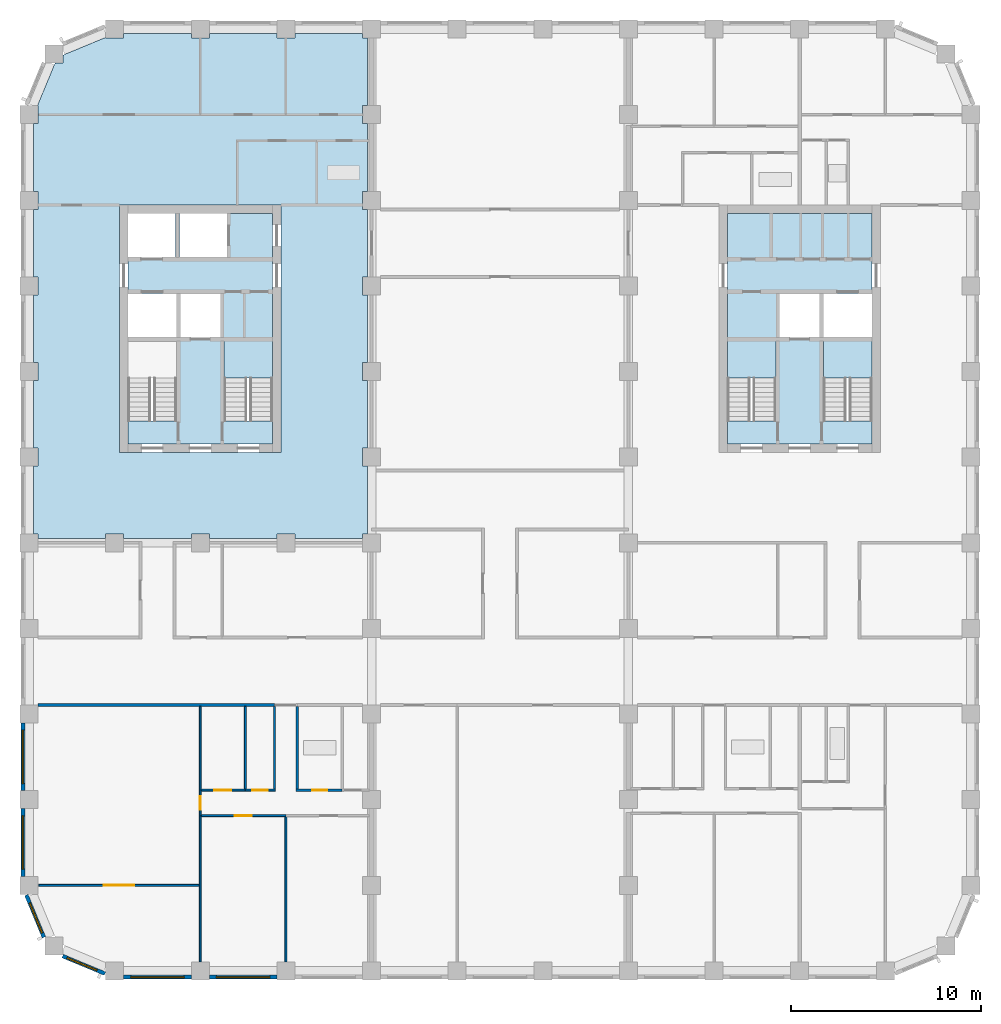
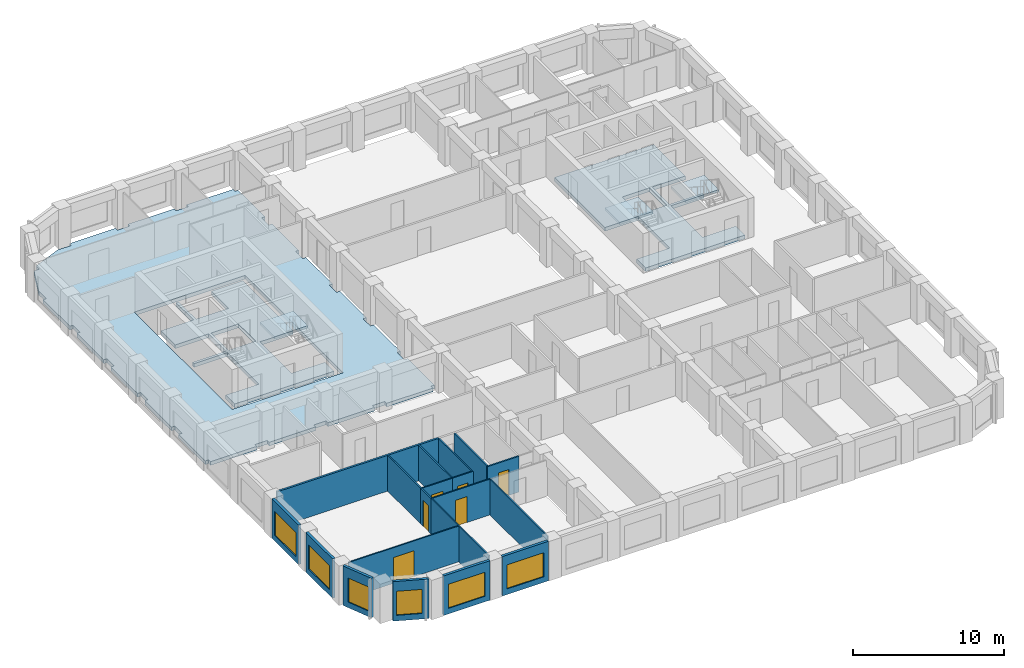
# One storey, part 2 of 12: 19 walls, 6 doors, 6 slabs, 6 windows, 12 openings, 3 elements without a shape of their own.
"""IFC4 building model written with IfcOpenShell, lengths in metres."""

from ifc_helpers import new_model, si_unit, direction, frame, frame_2d, origin, place, context, subcontext, project, spatial, polyline, rectangle, outline, extrude, material, layer, layer_set, type_object, element, fill, aggregate, save


model = new_model("IFC4")

# Units and contexts
model_context = context("Model", 3, precision=1e-05, world=origin(), true_north=direction((0.0, 1.0)))
body_context = subcontext(model_context, "Body", "Model", "MODEL_VIEW")
ifc_project = project(units=[si_unit("LENGTHUNIT", "METRE"), si_unit("AREAUNIT", "SQUARE_METRE"), si_unit("VOLUMEUNIT", "CUBIC_METRE"), si_unit("PLANEANGLEUNIT", "RADIAN"), si_unit("MASSUNIT", "GRAM", prefix="KILO")], contexts=[model_context])

# Site, building, storey
site_placement = place(None, origin())
site = spatial("IfcSite", under=ifc_project, at=site_placement, CompositionType="ELEMENT")
building_placement = place(site_placement, origin())
building = spatial("IfcBuilding", under=site, at=building_placement, Name="Girih Gate Residences", CompositionType="ELEMENT")
storey_placement = place(building_placement, frame((0.0, 0.0, 139.800048828125)))
storey = spatial("IfcBuildingStorey", under=building, at=storey_placement, Name="L39", CompositionType="ELEMENT", Elevation=139.800048828125)

# Slabs
ifc_material_1 = material(Name="Concrete C40/50", Category="concrete")
ifc_layer_1 = layer(ifc_material_1, 0.300048828125)
ifc_layer_set_1 = layer_set([ifc_layer_1], Name="Core floor slab 300")
slab_type_1 = type_object("IfcSlabType", Name="Core floor slab 300", PredefinedType="FLOOR", material=ifc_layer_set_1)
slab_1_placement = place(storey_placement, frame((0.0, 0.0, -0.300048828125)))
element("IfcSlab", 1, at=slab_1_placement, inside=storey, type_object=slab_type_1, Name="L39 W core floor", PredefinedType="FLOOR", context=body_context, shape_type="SweptSolid", body=[
    extrude(outline(polyline([(12.800048828125, 27.699951171875), (5.199951171875, 27.699951171875), (5.199951171875, 28.900634765625), (7.75, 28.900634765625), (7.75, 33.10009765625), (5.199951171875, 33.10009765625), (5.199951171875, 33.300048828125), (7.75, 33.300048828125), (7.75, 35.60009765625), (5.199951171875, 35.60009765625), (5.199951171875, 37.5), (7.699951171875, 37.5), (7.699951171875, 39.800048828125), (7.89990234375, 39.800048828125), (7.89990234375, 37.5), (10.39990234375, 37.5), (10.39990234375, 39.800048828125), (12.800048828125, 39.800048828125), (12.800048828125, 33.10009765625), (10.25, 33.10009765625), (10.25, 28.900634765625), (12.800048828125, 28.900634765625), (12.800048828125, 27.699951171875)]), holes=[polyline([(7.949951171875, 33.300048828125), (10.050048828125, 33.300048828125), (10.050048828125, 35.60009765625), (7.949951171875, 35.60009765625), (7.949951171875, 33.300048828125)])]), origin(), (0.0, 0.0, 1.0), 0.300048828125),
])
slab_2_placement = place(storey_placement, frame((0.0, 0.0, -0.300048828125)))
element("IfcSlab", 2, at=slab_2_placement, inside=storey, type_object=slab_type_1, Name="L39 E core floor", PredefinedType="FLOOR", context=body_context, shape_type="SweptSolid", body=[
    extrude(outline(polyline([(44.300048828125, 27.699951171875), (36.699951171875, 27.699951171875), (36.699951171875, 28.900634765625), (39.25, 28.900634765625), (39.25, 33.10009765625), (36.699951171875, 33.10009765625), (36.699951171875, 39.800048828125), (44.300048828125, 39.800048828125), (44.300048828125, 35.60009765625), (41.75, 35.60009765625), (41.75, 33.300048828125), (44.300048828125, 33.300048828125), (44.300048828125, 33.10009765625), (41.75, 33.10009765625), (41.75, 28.900634765625), (44.300048828125, 28.900634765625), (44.300048828125, 27.699951171875)]), holes=[polyline([(39.449951171875, 33.300048828125), (41.550048828125, 33.300048828125), (41.550048828125, 35.60009765625), (39.449951171875, 35.60009765625), (39.449951171875, 33.300048828125)])]), origin(), (0.0, 0.0, 1.0), 0.300048828125),
])
ifc_layer_2 = layer(ifc_material_1, 0.300048828125)
ifc_layer_set_2 = layer_set([ifc_layer_2], Name="Floor slab PT 300 Concrete C40/50")
slab_type_2 = type_object("IfcSlabType", Name="Floor slab PT 300 Concrete C40/50", PredefinedType="FLOOR", material=ifc_layer_set_2)
slab_3_placement = place(storey_placement, frame((0.0, 0.0, -0.300048828125)))
element("IfcSlab", 3, at=slab_3_placement, inside=storey, type_object=slab_type_2, Name="Floor slab L39 3", PredefinedType="FLOOR", context=body_context, shape_type="SweptSolid", body=[
    extrude(outline(polyline([(0.22509765625, 26.52490234375), (0.22509765625, 22.97509765625), (0.47509765625, 22.97509765625), (0.47509765625, 22.72509765625), (4.02490234375, 22.72509765625), (4.02490234375, 22.97509765625), (4.97509765625, 22.97509765625), (4.97509765625, 22.72509765625), (8.52490234375, 22.72509765625), (8.52490234375, 22.97509765625), (9.47509765625, 22.97509765625), (9.47509765625, 22.72509765625), (13.02490234375, 22.72509765625), (13.02490234375, 22.97509765625), (13.97509765625, 22.97509765625), (13.97509765625, 22.72509765625), (17.52490234375, 22.72509765625), (17.52490234375, 22.97509765625), (17.77490234375, 22.97509765625), (17.77490234375, 26.52490234375), (17.52490234375, 26.52490234375), (17.52490234375, 27.47509765625), (17.77490234375, 27.47509765625), (17.77490234375, 31.02490234375), (17.52490234375, 31.02490234375), (17.52490234375, 31.97509765625), (17.77490234375, 31.97509765625), (17.77490234375, 35.52490234375), (17.52490234375, 35.52490234375), (17.52490234375, 36.47509765625), (17.77490234375, 36.47509765625), (17.77490234375, 40.02490234375), (17.52490234375, 40.02490234375), (17.52490234375, 40.97509765625), (17.77490234375, 40.97509765625), (17.77490234375, 44.52490234375), (17.52490234375, 44.52490234375), (17.52490234375, 45.47509765625), (17.77490234375, 45.47509765625), (17.77490234375, 49.02490234375), (17.52490234375, 49.02490234375), (17.52490234375, 49.27490234375), (13.97509765625, 49.27490234375), (13.97509765625, 49.02490234375), (13.02490234375, 49.02490234375), (13.02490234375, 49.27490234375), (9.47509765625, 49.27490234375), (9.47509765625, 49.02490234375), (8.52490234375, 49.02490234375), (8.52490234375, 49.27490234375), (4.97509765625, 49.27490234375), (4.97509765625, 49.02490234375), (4.02490234375, 49.02490234375), (4.02490234375, 49.059814453125), (1.79296875, 48.13525390625), (1.79296875, 47.70703125), (1.36474609375, 47.70703125), (0.440185546875, 45.47509765625), (0.47509765625, 45.47509765625), (0.47509765625, 44.52490234375), (0.22509765625, 44.52490234375), (0.22509765625, 40.97509765625), (0.47509765625, 40.97509765625), (0.47509765625, 40.02490234375), (0.22509765625, 40.02490234375), (0.22509765625, 36.47509765625), (0.47509765625, 36.47509765625), (0.47509765625, 35.52490234375), (0.22509765625, 35.52490234375), (0.22509765625, 31.97509765625), (0.47509765625, 31.97509765625), (0.47509765625, 31.02490234375), (0.22509765625, 31.02490234375), (0.22509765625, 27.47509765625), (0.47509765625, 27.47509765625), (0.47509765625, 26.52490234375), (0.22509765625, 26.52490234375)]), holes=[polyline([(13.25, 40.25), (13.25, 27.25), (4.75, 27.25), (4.75, 40.25), (13.25, 40.25)])]), origin(), (0.0, 0.0, 1.0), 0.300048828125),
])

# Stair, slab
stair_type = type_object("IfcStairType", Name="Exit stair", PredefinedType="HALF_TURN_STAIR", material=ifc_material_1)
stair_1_placement = place(storey_placement, origin())
stair_1 = element("IfcStair", 4, at=stair_1_placement, inside=storey, type_object=stair_type, Name="L39 Exit Stair ST-W2", PredefinedType="HALF_TURN_STAIR")
ifc_layer_3 = layer(ifc_material_1, 0.199951171875)
ifc_layer_set_3 = layer_set([ifc_layer_3], Name="Stair landing 200")
slab_type_3 = type_object("IfcSlabType", Name="Stair landing 200", PredefinedType="LANDING", material=ifc_layer_set_3)
slab_4_placement = place(storey_placement, frame((0.0, 0.0, 1.39990234375)))
slab_4 = element("IfcSlab", 5, at=slab_4_placement, type_object=slab_type_3, Name="ST-W2 landing 1", PredefinedType="LANDING", context=body_context, shape_type="SweptSolid", body=[
    extrude(outline(polyline([(12.800048828125, 31.14990234375), (12.800048828125, 33.10009765625), (10.25, 33.10009765625), (10.25, 31.14990234375), (12.800048828125, 31.14990234375)])), origin(), (0.0, 0.0, 1.0), 0.199951171875),
])
aggregate(stair_1, [slab_4])

stair_2_placement = place(storey_placement, origin())
stair_2 = element("IfcStair", 6, at=stair_2_placement, inside=storey, type_object=stair_type, Name="L39 Exit Stair ST-E1", PredefinedType="HALF_TURN_STAIR")
slab_5_placement = place(storey_placement, frame((0.0, 0.0, 1.39990234375)))
slab_5 = element("IfcSlab", 7, at=slab_5_placement, type_object=slab_type_3, Name="ST-E1 landing 1", PredefinedType="LANDING", context=body_context, shape_type="SweptSolid", body=[
    extrude(outline(polyline([(44.300048828125, 31.14990234375), (44.300048828125, 33.10009765625), (41.75, 33.10009765625), (41.75, 31.14990234375), (44.300048828125, 31.14990234375)])), origin(), (0.0, 0.0, 1.0), 0.199951171875),
])
aggregate(stair_2, [slab_5])

stair_3_placement = place(storey_placement, origin())
stair_3 = element("IfcStair", 8, at=stair_3_placement, inside=storey, type_object=stair_type, Name="L39 Exit Stair ST-E2", PredefinedType="HALF_TURN_STAIR")
slab_6_placement = place(storey_placement, frame((0.0, 0.0, 1.39990234375)))
slab_6 = element("IfcSlab", 9, at=slab_6_placement, type_object=slab_type_3, Name="ST-E2 landing 1", PredefinedType="LANDING", context=body_context, shape_type="SweptSolid", body=[
    extrude(outline(polyline([(39.25, 31.14990234375), (39.25, 33.10009765625), (36.699951171875, 33.10009765625), (36.699951171875, 31.14990234375), (39.25, 31.14990234375)])), origin(), (0.0, 0.0, 1.0), 0.199951171875),
])
aggregate(stair_3, [slab_6])

# Walls
ifc_material_2 = material(Name="Gypsum board on steel studs", Category="steel")
ifc_layer_4 = layer(ifc_material_2, 0.14990234375)
ifc_layer_set_4 = layer_set([ifc_layer_4], Name="Compartment wall 150 mm")
wall_type_1 = type_object("IfcWallType", Name="Compartment wall 150 mm", PredefinedType="PARTITIONING", material=ifc_layer_set_4)
wall_1_placement = place(storey_placement, frame((0.47509765625, 13.97509765625, 0.0), z_axis=(0.0, 0.0, 1.0), x_axis=(1.0, 0.0, 0.0)))
element("IfcWall", 10, at=wall_1_placement, inside=storey, type_object=wall_type_1, Name="L39 partition", PredefinedType="PARTITIONING", context=body_context, shape_type="SweptSolid", body=[
    extrude(rectangle(XDim=12.4248046875, YDim=0.14990234375, at=frame_2d((6.21240234375, 0.0))), origin(), (0.0, 0.0, 1.0), 2.89990234375),
])
ifc_layer_5 = layer(ifc_material_2, 0.10009765625)
ifc_layer_set_5 = layer_set([ifc_layer_5], Name="Partition 100 mm")
wall_type_2 = type_object("IfcWallType", Name="Partition 100 mm", PredefinedType="PARTITIONING", material=ifc_layer_set_5)
wall_2_placement = place(storey_placement, frame((13.5, 0.47509765625, 0.0), z_axis=(0.0, 0.0, 1.0), x_axis=(0.0, 1.0, 0.0)))
element("IfcWall", 11, at=wall_2_placement, inside=storey, type_object=wall_type_2, Name="L39 partition", PredefinedType="PARTITIONING", context=body_context, shape_type="SweptSolid", body=[
    extrude(rectangle(XDim=7.639892578125, YDim=0.10009765625, at=frame_2d((3.81982421875, 0.0))), origin(), (0.0, 0.0, 1.0), 2.89990234375),
])

# Wall, opening, door
wall_3_placement = place(storey_placement, frame((13.5, 8.1650390625, 0.0), z_axis=(0.0, 0.0, 1.0), x_axis=(-1.0, 0.0, 0.0)))
wall_3 = element("IfcWall", 12, at=wall_3_placement, inside=storey, type_object=wall_type_2, Name="L39 partition", PredefinedType="PARTITIONING", context=body_context, shape_type="SweptSolid", body=[
    extrude(rectangle(XDim=4.449951171875, YDim=0.10009765625, at=frame_2d((2.22509765625, 0.0))), origin(), (0.0, 0.0, 1.0), 2.89990234375),
])
opening_1_placement = place(wall_3_placement, frame((1.800048828125, 0.0, 0.0)))
opening_1 = element("IfcOpeningElement", 13, at=opening_1_placement, cuts=wall_3, Name="Opening A39-002", PredefinedType="OPENING", context=body_context, shape_type="SweptSolid", body=[
    extrude(rectangle(XDim=0.89990234375, YDim=2.10009765625, at=frame_2d((0.449951171875, 1.050048828125))), frame((0.0, 0.06005859375, 0.0), z_axis=(0.0, -1.0, 0.0), x_axis=(1.0, 0.0, 0.0)), (0.0, 0.0, 1.0), 0.1201171875),
])
ifc_material_3 = material(Name="Timber", Category="wood")
door_type_1 = type_object("IfcDoorType", Name="Bedroom door 900x2100", OperationType="NOTDEFINED", PredefinedType="DOOR", material=ifc_material_3)
door_1_placement = place(opening_1_placement, origin())
door_1 = element("IfcDoor", 14, at=door_1_placement, inside=storey, type_object=door_type_1, Name="Door A39-002", OperationType="SINGLE_SWING_RIGHT", OverallHeight=2.10009765625, OverallWidth=0.89990234375, PredefinedType="DOOR", context=body_context, shape_type="SweptSolid", body=[
    extrude(rectangle(XDim=0.89990234375, YDim=2.10009765625, at=frame_2d((0.449951171875, 1.050048828125))), frame((0.0, 0.02490234375, 0.0), z_axis=(0.0, -1.0, 0.0), x_axis=(1.0, 0.0, 0.0)), (0.0, 0.0, 1.0), 0.050048828125),
])
fill(opening_1, door_1)

# Wall
wall_4_placement = place(storey_placement, frame((9.0, 0.47509765625, 0.0), z_axis=(0.0, 0.0, 1.0), x_axis=(0.0, 1.0, 0.0)))
element("IfcWall", 15, at=wall_4_placement, inside=storey, type_object=wall_type_2, Name="L39 partition", PredefinedType="PARTITIONING", context=body_context, shape_type="SweptSolid", body=[
    extrude(rectangle(XDim=7.68994140625, YDim=0.10009765625, at=frame_2d((3.844970703125, 0.0))), origin(), (0.0, 0.0, 1.0), 2.89990234375),
])

# Wall, opening, door
wall_5_placement = place(storey_placement, frame((9.0, 8.1650390625, 0.0), z_axis=(0.0, 0.0, 1.0), x_axis=(0.0, 1.0, 0.0)))
wall_5 = element("IfcWall", 16, at=wall_5_placement, inside=storey, type_object=wall_type_2, Name="L39 partition", PredefinedType="PARTITIONING", context=body_context, shape_type="SweptSolid", body=[
    extrude(rectangle(XDim=1.33984375, YDim=0.10009765625, at=frame_2d((0.669921875, 0.0))), origin(), (0.0, 0.0, 1.0), 2.89990234375),
])
opening_2_placement = place(wall_5_placement, frame((0.31005859375, 0.0, 0.0)))
opening_2 = element("IfcOpeningElement", 17, at=opening_2_placement, cuts=wall_5, Name="Opening A39-004", PredefinedType="OPENING", context=body_context, shape_type="SweptSolid", body=[
    extrude(rectangle(XDim=0.699951171875, YDim=2.10009765625, at=frame_2d((0.35009765625, 1.050048828125))), frame((0.0, 0.06005859375, 0.0), z_axis=(0.0, -1.0, 0.0), x_axis=(1.0, 0.0, 0.0)), (0.0, 0.0, 1.0), 0.1201171875),
])
door_type_2 = type_object("IfcDoorType", Name="Narrow door 700x2100", OperationType="NOTDEFINED", PredefinedType="DOOR", material=ifc_material_3)
door_2_placement = place(opening_2_placement, origin())
door_2 = element("IfcDoor", 18, at=door_2_placement, inside=storey, type_object=door_type_2, Name="Door A39-004", OperationType="SINGLE_SWING_LEFT", OverallHeight=2.10009765625, OverallWidth=0.699951171875, PredefinedType="DOOR", context=body_context, shape_type="SweptSolid", body=[
    extrude(rectangle(XDim=0.699951171875, YDim=2.10009765625, at=frame_2d((0.35009765625, 1.050048828125))), frame((0.0, 0.02490234375, 0.0), z_axis=(0.0, -1.0, 0.0), x_axis=(1.0, 0.0, 0.0)), (0.0, 0.0, 1.0), 0.050048828125),
])
fill(opening_2, door_2)

# Wall
wall_6_placement = place(storey_placement, frame((9.0, 9.5048828125, 0.0), z_axis=(0.0, 0.0, 1.0), x_axis=(0.0, 1.0, 0.0)))
element("IfcWall", 19, at=wall_6_placement, inside=storey, type_object=wall_type_2, Name="L39 partition", PredefinedType="PARTITIONING", context=body_context, shape_type="SweptSolid", body=[
    extrude(rectangle(XDim=4.39501953125, YDim=0.10009765625, at=frame_2d((2.197509765625, 0.0))), origin(), (0.0, 0.0, 1.0), 2.89990234375),
])

# Wall, opening, door
wall_7_placement = place(storey_placement, frame((0.51416015625, 4.5, 0.0), z_axis=(0.0, 0.0, 1.0), x_axis=(1.0, 0.0, 0.0)))
wall_7 = element("IfcWall", 20, at=wall_7_placement, inside=storey, type_object=wall_type_2, Name="L39 partition", PredefinedType="PARTITIONING", context=body_context, shape_type="SweptSolid", body=[
    extrude(rectangle(XDim=8.435791015625, YDim=0.10009765625, at=frame_2d((4.2177734375, 0.0))), origin(), (0.0, 0.0, 1.0), 2.89990234375),
])
opening_3_placement = place(wall_7_placement, frame((3.42333984375, 0.0, 0.0)))
opening_3 = element("IfcOpeningElement", 21, at=opening_3_placement, cuts=wall_7, Name="Opening A39-005", PredefinedType="OPENING", context=body_context, shape_type="SweptSolid", body=[
    extrude(rectangle(XDim=1.60009765625, YDim=2.10009765625, at=frame_2d((0.800048828125, 1.050048828125))), frame((0.0, 0.06005859375, 0.0), z_axis=(0.0, -1.0, 0.0), x_axis=(1.0, 0.0, 0.0)), (0.0, 0.0, 1.0), 0.1201171875),
])
door_type_3 = type_object("IfcDoorType", Name="Double leaf door 1600x2100", OperationType="NOTDEFINED", PredefinedType="DOOR", material=ifc_material_3)
door_3_placement = place(opening_3_placement, origin())
door_3 = element("IfcDoor", 22, at=door_3_placement, inside=storey, type_object=door_type_3, Name="Door A39-005", OperationType="SINGLE_SWING_RIGHT", OverallHeight=2.10009765625, OverallWidth=1.60009765625, PredefinedType="DOOR", context=body_context, shape_type="SweptSolid", body=[
    extrude(rectangle(XDim=1.60009765625, YDim=2.10009765625, at=frame_2d((0.800048828125, 1.050048828125))), frame((0.0, 0.02490234375, 0.0), z_axis=(0.0, -1.0, 0.0), x_axis=(1.0, 0.0, 0.0)), (0.0, 0.0, 1.0), 0.050048828125),
])
fill(opening_3, door_3)

wall_8_placement = place(storey_placement, frame((9.050048828125, 9.5048828125, 0.0), z_axis=(0.0, 0.0, 1.0), x_axis=(1.0, 0.0, 0.0)))
wall_8 = element("IfcWall", 23, at=wall_8_placement, inside=storey, type_object=wall_type_2, Name="L39 partition", PredefinedType="PARTITIONING", context=body_context, shape_type="SweptSolid", body=[
    extrude(rectangle(XDim=2.3173828125, YDim=0.10009765625, at=frame_2d((1.15869140625, 0.0))), origin(), (0.0, 0.0, 1.0), 2.89990234375),
])
opening_4_placement = place(wall_8_placement, frame((0.68359375, 0.0, 0.0)))
opening_4 = element("IfcOpeningElement", 24, at=opening_4_placement, cuts=wall_8, Name="Opening A39-006", PredefinedType="OPENING", context=body_context, shape_type="SweptSolid", body=[
    extrude(rectangle(XDim=0.89990234375, YDim=2.10009765625, at=frame_2d((0.449951171875, 1.050048828125))), frame((0.0, 0.06005859375, 0.0), z_axis=(0.0, -1.0, 0.0), x_axis=(1.0, 0.0, 0.0)), (0.0, 0.0, 1.0), 0.1201171875),
])
door_type_4 = type_object("IfcDoorType", Name="Kitchen door 900x2100", OperationType="NOTDEFINED", PredefinedType="DOOR", material=ifc_material_3)
door_4_placement = place(opening_4_placement, origin())
door_4 = element("IfcDoor", 25, at=door_4_placement, inside=storey, type_object=door_type_4, Name="Door A39-006", OperationType="SINGLE_SWING_LEFT", OverallHeight=2.10009765625, OverallWidth=0.89990234375, PredefinedType="DOOR", context=body_context, shape_type="SweptSolid", body=[
    extrude(rectangle(XDim=0.89990234375, YDim=2.10009765625, at=frame_2d((0.449951171875, 1.050048828125))), frame((0.0, 0.02490234375, 0.0), z_axis=(0.0, -1.0, 0.0), x_axis=(1.0, 0.0, 0.0)), (0.0, 0.0, 1.0), 0.050048828125),
])
fill(opening_4, door_4)

wall_9_placement = place(storey_placement, frame((11.367431640625, 9.5048828125, 0.0), z_axis=(0.0, 0.0, 1.0), x_axis=(1.0, 0.0, 0.0)))
wall_9 = element("IfcWall", 26, at=wall_9_placement, inside=storey, type_object=wall_type_2, Name="L39 partition", PredefinedType="PARTITIONING", context=body_context, shape_type="SweptSolid", body=[
    extrude(rectangle(XDim=1.58251953125, YDim=0.10009765625, at=frame_2d((0.791259765625, 0.0))), origin(), (0.0, 0.0, 1.0), 2.89990234375),
])
opening_5_placement = place(wall_9_placement, frame((0.3662109375, 0.0, 0.0)))
opening_5 = element("IfcOpeningElement", 27, at=opening_5_placement, cuts=wall_9, Name="Opening A39-008", PredefinedType="OPENING", context=body_context, shape_type="SweptSolid", body=[
    extrude(rectangle(XDim=0.800048828125, YDim=2.10009765625, at=frame_2d((0.39990234375, 1.050048828125))), frame((0.0, 0.06005859375, 0.0), z_axis=(0.0, -1.0, 0.0), x_axis=(1.0, 0.0, 0.0)), (0.0, 0.0, 1.0), 0.1201171875),
])
door_type_5 = type_object("IfcDoorType", Name="Store door 800x2100", OperationType="NOTDEFINED", PredefinedType="DOOR", material=ifc_material_3)
door_5_placement = place(opening_5_placement, origin())
door_5 = element("IfcDoor", 28, at=door_5_placement, inside=storey, type_object=door_type_5, Name="Door A39-008", OperationType="SINGLE_SWING_LEFT", OverallHeight=2.10009765625, OverallWidth=0.800048828125, PredefinedType="DOOR", context=body_context, shape_type="SweptSolid", body=[
    extrude(rectangle(XDim=0.800048828125, YDim=2.10009765625, at=frame_2d((0.39990234375, 1.050048828125))), frame((0.0, 0.02490234375, 0.0), z_axis=(0.0, -1.0, 0.0), x_axis=(1.0, 0.0, 0.0)), (0.0, 0.0, 1.0), 0.050048828125),
])
fill(opening_5, door_5)

# Walls
for number, where, z_axis, x_axis, name in (
    (29, (12.89990234375, 9.554931640625, 0.0), (0.0, 0.0, 1.0), (0.0, 1.0, 0.0), "L39 partition"),
    (30, (11.366943359375, 9.554931640625, 0.0), (0.0, 0.0, 1.0), (0.0, 1.0, 0.0), "L39 partition"),
):
    element("IfcWall", number, at=place(storey_placement, frame(where, z_axis=z_axis, x_axis=x_axis)), inside=storey, type_object=wall_type_2, Name=name, PredefinedType="PARTITIONING", context=body_context, shape_type="SweptSolid", body=[
        extrude(rectangle(XDim=4.344970703125, YDim=0.10009765625, at=frame_2d((2.17236328125, 0.0))), origin(), (0.0, 0.0, 1.0), 2.89990234375),
    ])

# Wall, opening, window
ifc_material_4 = material(Name="Precast concrete C50/60", Category="concrete")
ifc_layer_6 = layer(ifc_material_4, 0.06005859375, Name="Outer leaf")
ifc_material_5 = material(Name="Rigid PIR insulation")
ifc_layer_7 = layer(ifc_material_5, 0.090087890625, Name="Insulation")
ifc_material_6 = material(Name="Precast concrete C40/50", Category="concrete")
ifc_layer_8 = layer(ifc_material_6, 0.050048828125, Name="Inner leaf")
ifc_layer_set_6 = layer_set([ifc_layer_6, ifc_layer_7, ifc_layer_8], Name="Precast concrete C50/60 external wall 200")
wall_type_3 = type_object("IfcWallType", Name="Precast concrete C50/60 external wall 200", PredefinedType="SOLIDWALL", material=ifc_layer_set_6)
wall_10_placement = place(storey_placement, frame((0.7802734375, 1.76708984375, 0.0), z_axis=(0.0, 0.0, 1.0), x_axis=(-0.382680855588, 0.923880599843, 0.0)))
wall_10 = element("IfcWall", 31, at=wall_10_placement, inside=storey, type_object=wall_type_3, Name="External wall SW0000_0045.0", PredefinedType="SOLIDWALL", context=body_context, shape_type="SweptSolid", body=[
    extrude(rectangle(XDim=2.402587890625, YDim=0.199951171875, at=frame_2d((1.201171875, 0.0))), origin(), (0.0, 0.0, 1.0), 3.199951171875),
])
opening_6_placement = place(wall_10_placement, frame((0.25146484375, 0.0, 0.449951171875)))
opening_6 = element("IfcOpeningElement", 32, at=opening_6_placement, cuts=wall_10, Name="Opening W-2E", PredefinedType="OPENING", context=body_context, shape_type="SweptSolid", body=[
    extrude(rectangle(XDim=1.699951171875, YDim=1.949951171875, at=frame_2d((0.85009765625, 0.97509765625))), frame((0.0, 0.10986328125, 0.0), z_axis=(0.0, -1.0, 0.0), x_axis=(1.0, 0.0, 0.0)), (0.0, 0.0, 1.0), 0.219970703125),
])
ifc_material_7 = material(Name="Double glazing in aluminium frame", Category="aluminium")
window_type_1 = type_object("IfcWindowType", Name="Window W-2E 1700x1950", PartitioningType="SINGLE_PANEL", PredefinedType="WINDOW", material=ifc_material_7)
window_1_placement = place(opening_6_placement, origin())
window_1 = element("IfcWindow", 33, at=window_1_placement, inside=storey, type_object=window_type_1, Name="Window W-2E SW0000_0045.0", OverallHeight=1.949951171875, OverallWidth=1.699951171875, PartitioningType="SINGLE_PANEL", PredefinedType="WINDOW", context=body_context, shape_type="SweptSolid", body=[
    extrude(rectangle(XDim=1.699951171875, YDim=1.949951171875, at=frame_2d((0.85009765625, 0.97509765625))), frame((0.0, 0.030029296875, 0.0), z_axis=(0.0, -1.0, 0.0), x_axis=(1.0, 0.0, 0.0)), (0.0, 0.0, 1.0), 0.06005859375),
])
fill(opening_6, window_1)

wall_11_placement = place(storey_placement, frame((3.98681640625, -0.13916015625, 0.0), z_axis=(0.0, 0.0, 1.0), x_axis=(-0.923880599843, 0.382680855588, 0.0)))
wall_11 = element("IfcWall", 34, at=wall_11_placement, inside=storey, type_object=wall_type_3, Name="External wall SW0013_0013.0", PredefinedType="SOLIDWALL", context=body_context, shape_type="SweptSolid", body=[
    extrude(rectangle(XDim=2.402587890625, YDim=0.199951171875, at=frame_2d((1.201171875, 0.0))), origin(), (0.0, 0.0, 1.0), 3.199951171875),
])
opening_7_placement = place(wall_11_placement, frame((0.451171875, 0.0, 0.449951171875)))
opening_7 = element("IfcOpeningElement", 35, at=opening_7_placement, cuts=wall_11, Name="Opening W-2E", PredefinedType="OPENING", context=body_context, shape_type="SweptSolid", body=[
    extrude(rectangle(XDim=1.699951171875, YDim=1.949951171875, at=frame_2d((0.85009765625, 0.97509765625))), frame((0.0, 0.10986328125, 0.0), z_axis=(0.0, -1.0, 0.0), x_axis=(1.0, 0.0, 0.0)), (0.0, 0.0, 1.0), 0.219970703125),
])
window_2_placement = place(opening_7_placement, origin())
window_2 = element("IfcWindow", 36, at=window_2_placement, inside=storey, type_object=window_type_1, Name="Window W-2E SW0013_0013.0", OverallHeight=1.949951171875, OverallWidth=1.699951171875, PartitioningType="SINGLE_PANEL", PredefinedType="WINDOW", context=body_context, shape_type="SweptSolid", body=[
    extrude(rectangle(XDim=1.699951171875, YDim=1.949951171875, at=frame_2d((0.85009765625, 0.97509765625))), frame((0.0, 0.030029296875, 0.0), z_axis=(0.0, -1.0, 0.0), x_axis=(1.0, 0.0, 0.0)), (0.0, 0.0, 1.0), 0.06005859375),
])
fill(opening_7, window_2)

wall_12_placement = place(storey_placement, frame((8.52490234375, -0.324951171875, 0.0), z_axis=(0.0, 0.0, 1.0), x_axis=(-1.0, 0.0, 0.0)))
wall_12 = element("IfcWall", 37, at=wall_12_placement, inside=storey, type_object=wall_type_3, Name="External wall S0045_0000.0", PredefinedType="SOLIDWALL", context=body_context, shape_type="SweptSolid", body=[
    extrude(rectangle(XDim=3.5498046875, YDim=0.199951171875, at=frame_2d((1.77490234375, 0.0))), origin(), (0.0, 0.0, 1.0), 3.199951171875),
])
opening_8_placement = place(wall_12_placement, frame((0.375, 0.0, 0.449951171875)))
opening_8 = element("IfcOpeningElement", 38, at=opening_8_placement, cuts=wall_12, Name="Opening W-1B", PredefinedType="OPENING", context=body_context, shape_type="SweptSolid", body=[
    extrude(rectangle(XDim=2.800048828125, YDim=1.949951171875, at=frame_2d((1.39990234375, 0.97509765625))), frame((0.0, 0.10986328125, 0.0), z_axis=(0.0, -1.0, 0.0), x_axis=(1.0, 0.0, 0.0)), (0.0, 0.0, 1.0), 0.219970703125),
])
window_type_2 = type_object("IfcWindowType", Name="Window W-1B 2800x1950", PartitioningType="SINGLE_PANEL", PredefinedType="WINDOW", material=ifc_material_7)
window_3_placement = place(opening_8_placement, origin())
window_3 = element("IfcWindow", 39, at=window_3_placement, inside=storey, type_object=window_type_2, Name="Window W-1B S0045_0000.0", OverallHeight=1.949951171875, OverallWidth=2.800048828125, PartitioningType="SINGLE_PANEL", PredefinedType="WINDOW", context=body_context, shape_type="SweptSolid", body=[
    extrude(rectangle(XDim=2.800048828125, YDim=1.949951171875, at=frame_2d((1.39990234375, 0.97509765625))), frame((0.0, 0.030029296875, 0.0), z_axis=(0.0, -1.0, 0.0), x_axis=(1.0, 0.0, 0.0)), (0.0, 0.0, 1.0), 0.06005859375),
])
fill(opening_8, window_3)

wall_13_placement = place(storey_placement, frame((13.02490234375, -0.324951171875, 0.0), z_axis=(0.0, 0.0, 1.0), x_axis=(-1.0, 0.0, 0.0)))
wall_13 = element("IfcWall", 40, at=wall_13_placement, inside=storey, type_object=wall_type_3, Name="External wall S0045_0000.1", PredefinedType="SOLIDWALL", context=body_context, shape_type="SweptSolid", body=[
    extrude(rectangle(XDim=3.5498046875, YDim=0.199951171875, at=frame_2d((1.77490234375, 0.0))), origin(), (0.0, 0.0, 1.0), 3.199951171875),
])
opening_9_placement = place(wall_13_placement, frame((0.375, 0.0, 0.449951171875)))
opening_9 = element("IfcOpeningElement", 41, at=opening_9_placement, cuts=wall_13, Name="Opening W-1B", PredefinedType="OPENING", context=body_context, shape_type="SweptSolid", body=[
    extrude(rectangle(XDim=2.800048828125, YDim=1.949951171875, at=frame_2d((1.39990234375, 0.97509765625))), frame((0.0, 0.10986328125, 0.0), z_axis=(0.0, -1.0, 0.0), x_axis=(1.0, 0.0, 0.0)), (0.0, 0.0, 1.0), 0.219970703125),
])
window_4_placement = place(opening_9_placement, origin())
window_4 = element("IfcWindow", 42, at=window_4_placement, inside=storey, type_object=window_type_2, Name="Window W-1B S0045_0000.1", OverallHeight=1.949951171875, OverallWidth=2.800048828125, PartitioningType="SINGLE_PANEL", PredefinedType="WINDOW", context=body_context, shape_type="SweptSolid", body=[
    extrude(rectangle(XDim=2.800048828125, YDim=1.949951171875, at=frame_2d((1.39990234375, 0.97509765625))), frame((0.0, 0.030029296875, 0.0), z_axis=(0.0, -1.0, 0.0), x_axis=(1.0, 0.0, 0.0)), (0.0, 0.0, 1.0), 0.06005859375),
])
fill(opening_9, window_4)

wall_14_placement = place(storey_placement, frame((-0.324951171875, 9.47509765625, 0.0), z_axis=(0.0, 0.0, 1.0), x_axis=(0.0, 1.0, 0.0)))
wall_14 = element("IfcWall", 43, at=wall_14_placement, inside=storey, type_object=wall_type_3, Name="External wall W0000_0450.7", PredefinedType="SOLIDWALL", context=body_context, shape_type="SweptSolid", body=[
    extrude(rectangle(XDim=3.5498046875, YDim=0.199951171875, at=frame_2d((1.77490234375, 0.0))), origin(), (0.0, 0.0, 1.0), 3.199951171875),
])
opening_10_placement = place(wall_14_placement, frame((0.375, 0.0, 0.449951171875)))
opening_10 = element("IfcOpeningElement", 44, at=opening_10_placement, cuts=wall_14, Name="Opening W-1B", PredefinedType="OPENING", context=body_context, shape_type="SweptSolid", body=[
    extrude(rectangle(XDim=2.800048828125, YDim=1.949951171875, at=frame_2d((1.39990234375, 0.97509765625))), frame((0.0, 0.10986328125, 0.0), z_axis=(0.0, -1.0, 0.0), x_axis=(1.0, 0.0, 0.0)), (0.0, 0.0, 1.0), 0.219970703125),
])
window_5_placement = place(opening_10_placement, origin())
window_5 = element("IfcWindow", 45, at=window_5_placement, inside=storey, type_object=window_type_2, Name="Window W-1B W0000_0450.7", OverallHeight=1.949951171875, OverallWidth=2.800048828125, PartitioningType="SINGLE_PANEL", PredefinedType="WINDOW", context=body_context, shape_type="SweptSolid", body=[
    extrude(rectangle(XDim=2.800048828125, YDim=1.949951171875, at=frame_2d((1.39990234375, 0.97509765625))), frame((0.0, 0.030029296875, 0.0), z_axis=(0.0, -1.0, 0.0), x_axis=(1.0, 0.0, 0.0)), (0.0, 0.0, 1.0), 0.06005859375),
])
fill(opening_10, window_5)

wall_15_placement = place(storey_placement, frame((-0.324951171875, 4.97509765625, 0.0), z_axis=(0.0, 0.0, 1.0), x_axis=(0.0, 1.0, 0.0)))
wall_15 = element("IfcWall", 46, at=wall_15_placement, inside=storey, type_object=wall_type_3, Name="External wall W0000_0450.8", PredefinedType="SOLIDWALL", context=body_context, shape_type="SweptSolid", body=[
    extrude(rectangle(XDim=3.5498046875, YDim=0.199951171875, at=frame_2d((1.77490234375, 0.0))), origin(), (0.0, 0.0, 1.0), 3.199951171875),
])
opening_11_placement = place(wall_15_placement, frame((0.375, 0.0, 0.449951171875)))
opening_11 = element("IfcOpeningElement", 47, at=opening_11_placement, cuts=wall_15, Name="Opening W-1B", PredefinedType="OPENING", context=body_context, shape_type="SweptSolid", body=[
    extrude(rectangle(XDim=2.800048828125, YDim=1.949951171875, at=frame_2d((1.39990234375, 0.97509765625))), frame((0.0, 0.10986328125, 0.0), z_axis=(0.0, -1.0, 0.0), x_axis=(1.0, 0.0, 0.0)), (0.0, 0.0, 1.0), 0.219970703125),
])
window_6_placement = place(opening_11_placement, origin())
window_6 = element("IfcWindow", 48, at=window_6_placement, inside=storey, type_object=window_type_2, Name="Window W-1B W0000_0450.8", OverallHeight=1.949951171875, OverallWidth=2.800048828125, PartitioningType="SINGLE_PANEL", PredefinedType="WINDOW", context=body_context, shape_type="SweptSolid", body=[
    extrude(rectangle(XDim=2.800048828125, YDim=1.949951171875, at=frame_2d((1.39990234375, 0.97509765625))), frame((0.0, 0.030029296875, 0.0), z_axis=(0.0, -1.0, 0.0), x_axis=(1.0, 0.0, 0.0)), (0.0, 0.0, 1.0), 0.06005859375),
])
fill(opening_11, window_6)

# Wall, opening, door
ifc_layer_9 = layer(ifc_material_2, 0.125)
ifc_layer_set_7 = layer_set([ifc_layer_9], Name="Wet room wall 125 mm")
wall_type_4 = type_object("IfcWallType", Name="Wet room wall 125 mm", PredefinedType="PARTITIONING", material=ifc_layer_set_7)
wall_16_placement = place(storey_placement, frame((14.03759765625, 9.5048828125, 0.0), z_axis=(0.0, 0.0, 1.0), x_axis=(1.0, 0.0, 0.0)))
wall_16 = element("IfcWall", 49, at=wall_16_placement, inside=storey, type_object=wall_type_4, Name="L39 partition", PredefinedType="PARTITIONING", context=body_context, shape_type="SweptSolid", body=[
    extrude(rectangle(XDim=2.41357421875, YDim=0.125, at=frame_2d((1.206787109375, 0.0))), origin(), (0.0, 0.0, 1.0), 2.89990234375),
])
opening_12_placement = place(wall_16_placement, frame((0.837890625, 0.0, 0.0)))
opening_12 = element("IfcOpeningElement", 50, at=opening_12_placement, cuts=wall_16, Name="Opening A39-001", PredefinedType="OPENING", context=body_context, shape_type="SweptSolid", body=[
    extrude(rectangle(XDim=0.800048828125, YDim=2.10009765625, at=frame_2d((0.39990234375, 1.050048828125))), frame((0.0, 0.072509765625, 0.0), z_axis=(0.0, -1.0, 0.0), x_axis=(1.0, 0.0, 0.0)), (0.0, 0.0, 1.0), 0.14501953125),
])
door_type_6 = type_object("IfcDoorType", Name="Bathroom door 800x2100", OperationType="NOTDEFINED", PredefinedType="DOOR", material=ifc_material_3)
door_6_placement = place(opening_12_placement, origin())
door_6 = element("IfcDoor", 51, at=door_6_placement, inside=storey, type_object=door_type_6, Name="Door A39-001", OperationType="SINGLE_SWING_RIGHT", OverallHeight=2.10009765625, OverallWidth=0.800048828125, PredefinedType="DOOR", context=body_context, shape_type="SweptSolid", body=[
    extrude(rectangle(XDim=0.800048828125, YDim=2.10009765625, at=frame_2d((0.39990234375, 1.050048828125))), frame((0.0, 0.02490234375, 0.0), z_axis=(0.0, -1.0, 0.0), x_axis=(1.0, 0.0, 0.0)), (0.0, 0.0, 1.0), 0.050048828125),
])
fill(opening_12, door_6)

# Wall
wall_17_placement = place(storey_placement, frame((14.10009765625, 9.5673828125, 0.0), z_axis=(0.0, 0.0, 1.0), x_axis=(0.0, 1.0, 0.0)))
element("IfcWall", 52, at=wall_17_placement, inside=storey, type_object=wall_type_4, Name="L39 partition", PredefinedType="PARTITIONING", context=body_context, shape_type="SweptSolid", body=[
    extrude(rectangle(XDim=4.33251953125, YDim=0.125, at=frame_2d((2.166259765625, 0.0))), origin(), (0.0, 0.0, 1.0), 2.89990234375),
])

save(model, "model.ifc")
